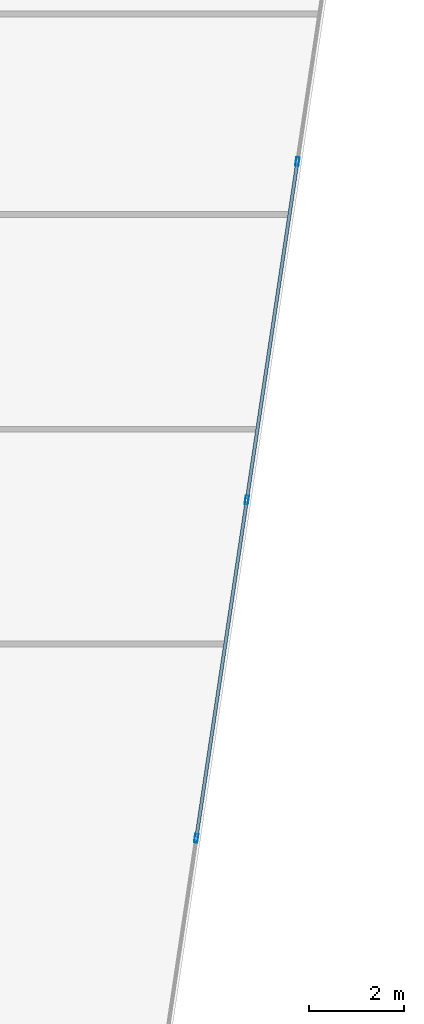
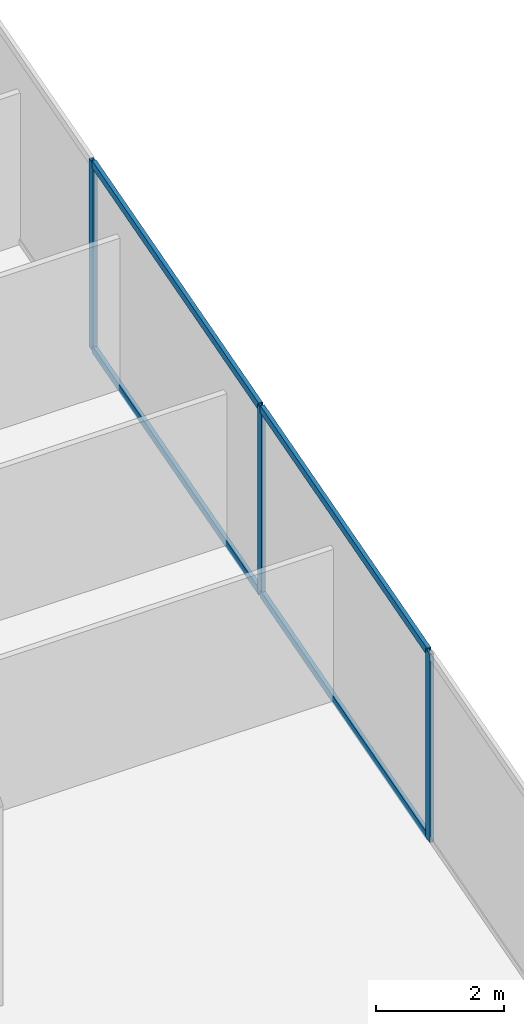
# One storey, part 14 of 29: 7 members, 1 element without a shape of its own.
"""IFC4 building model written with IfcOpenShell, lengths in metres."""

from ifc_helpers import new_model, si_unit, direction, frame, origin, origin_2d, place, context, subcontext, project, spatial, hollow_rectangle, extrude, source, transform, mapped, material, material_profile, profile_set, type_object, type_shapes, element, aggregate, save


model = new_model("IFC4")

# Units and contexts
model_context = context("Model", 3, precision=1e-05, world=origin(), true_north=direction((0.0, 1.0)))
body_context = subcontext(model_context, "Body", "Model", "MODEL_VIEW")
ifc_project = project(units=[si_unit("LENGTHUNIT", "METRE"), si_unit("AREAUNIT", "SQUARE_METRE"), si_unit("VOLUMEUNIT", "CUBIC_METRE"), si_unit("PLANEANGLEUNIT", "RADIAN"), si_unit("MASSUNIT", "GRAM", prefix="KILO")], contexts=[model_context])

# Site, building, storey
site_placement = place(None, origin())
site = spatial("IfcSite", under=ifc_project, at=site_placement, CompositionType="ELEMENT")
building_placement = place(site_placement, origin())
building = spatial("IfcBuilding", under=site, at=building_placement, Name="Krantzveldt Concourse Tower", CompositionType="ELEMENT")
storey_placement = place(building_placement, frame((0.0, 0.0, 76.35009765625)))
storey = spatial("IfcBuildingStorey", under=building, at=storey_placement, Name="L18", CompositionType="ELEMENT", Elevation=76.35009765625)

# Curtain wall, members
ifc_material = material(Name="Anodised aluminium 6063-T6", Category="aluminium")
curtain_wall_type = type_object("IfcCurtainWallType", Name="CW2", PredefinedType="USERDEFINED", material=ifc_material)
curtain_wall_placement = place(storey_placement, origin())
curtain_wall = element("IfcCurtainWall", 1, at=curtain_wall_placement, inside=storey, type_object=curtain_wall_type, Name="CW-L18-F07", ObjectType="UNITISED CURTAIN WALL", PredefinedType="USERDEFINED")
ifc_material_profile_1 = material_profile(ifc_material, hollow_rectangle(XDim=0.070068359375, YDim=0.139892578125, WallThickness=0.0048828125, at=origin_2d()), Name="Anodised aluminium 6063-T6", Category="aluminium")
ifc_profile_set_1 = profile_set([ifc_material_profile_1], Name="Anodised aluminium 6063-T6 - ALU-TRAN 140x70x5")
member_type_1 = type_object("IfcMemberType", Name="CW-TRN-150", PredefinedType="USERDEFINED", material=ifc_profile_set_1)
shared_shape_1 = source(origin(), body_context, "Body", "SweptSolid", [
    extrude(hollow_rectangle(XDim=0.070068359375, YDim=0.139892578125, WallThickness=0.0048828125, at=origin_2d()), origin(), (0.0, 0.0, 1.0), 7.096435546875),
])
type_shapes(member_type_1, [shared_shape_1])
member_1_placement = place(storey_placement, frame((59.582275390625, 15.96484375, 0.034912109375), z_axis=(0.147795365468, 0.989017962398, 0.0), x_axis=(-0.989017962398, 0.147795365468, 0.0)))
member_1 = element("IfcMember", 2, at=member_1_placement, type_object=member_type_1, Name="CW-Z12 transom 3.1", ObjectType="TRANSOM", PredefinedType="USERDEFINED", context=body_context, shape_type="MappedRepresentation", body=[
    mapped(shared_shape_1, transform((0.0, 0.0, 0.0), x_axis=(1.0, 0.0, 0.0), y_axis=(0.0, 1.0, 0.0), z_axis=(0.0, 0.0, 1.0), scale=1.0)),
])
member_2_placement = place(storey_placement, frame((59.582275390625, 15.96484375, 3.554931640625), z_axis=(0.147795365468, 0.989017962398, 0.0), x_axis=(-0.989017962398, 0.147795365468, 0.0)))
member_2 = element("IfcMember", 3, at=member_2_placement, type_object=member_type_1, Name="CW-Z12 transom 3.2", ObjectType="TRANSOM", PredefinedType="USERDEFINED", context=body_context, shape_type="MappedRepresentation", body=[
    mapped(shared_shape_1, transform((0.0, 0.0, 0.0), x_axis=(1.0, 0.0, 0.0), y_axis=(0.0, 1.0, 0.0), z_axis=(0.0, 0.0, 1.0), scale=1.0)),
])
member_3_placement = place(storey_placement, frame((60.6416015625, 23.052734375, 0.034912109375), z_axis=(0.147795365468, 0.989017962398, 0.0), x_axis=(-0.989017962398, 0.147795365468, 0.0)))
member_3 = element("IfcMember", 4, at=member_3_placement, type_object=member_type_1, Name="CW-Z12 transom 4.1", ObjectType="TRANSOM", PredefinedType="USERDEFINED", context=body_context, shape_type="MappedRepresentation", body=[
    mapped(shared_shape_1, transform((0.0, 0.0, 0.0), x_axis=(1.0, 0.0, 0.0), y_axis=(0.0, 1.0, 0.0), z_axis=(0.0, 0.0, 1.0), scale=1.0)),
])
member_4_placement = place(storey_placement, frame((60.6416015625, 23.052734375, 3.554931640625), z_axis=(0.147795365468, 0.989017962398, 0.0), x_axis=(-0.989017962398, 0.147795365468, 0.0)))
member_4 = element("IfcMember", 5, at=member_4_placement, type_object=member_type_1, Name="CW-Z12 transom 4.2", ObjectType="TRANSOM", PredefinedType="USERDEFINED", context=body_context, shape_type="MappedRepresentation", body=[
    mapped(shared_shape_1, transform((0.0, 0.0, 0.0), x_axis=(1.0, 0.0, 0.0), y_axis=(0.0, 1.0, 0.0), z_axis=(0.0, 0.0, 1.0), scale=1.0)),
])
ifc_material_profile_2 = material_profile(ifc_material, hollow_rectangle(XDim=0.070068359375, YDim=0.179931640625, WallThickness=0.0048828125, at=origin_2d()), Name="Anodised aluminium 6063-T6", Category="aluminium")
ifc_profile_set_2 = profile_set([ifc_material_profile_2], Name="Anodised aluminium 6063-T6 - ALU-MULL 180x70x5")
member_type_2 = type_object("IfcMemberType", Name="CW-MUL-180", PredefinedType="MULLION", material=ifc_profile_set_2)
shared_shape_2 = source(origin(), body_context, "Body", "SweptSolid", [
    extrude(hollow_rectangle(XDim=0.070068359375, YDim=0.179931640625, WallThickness=0.0048828125, at=origin_2d()), origin(), (0.0, 0.0, 1.0), 3.58984375),
])
type_shapes(member_type_2, [shared_shape_2])
member_5_placement = place(storey_placement, frame((59.5771484375, 15.93017578125, 0.0), z_axis=(0.0, 0.0, 1.0), x_axis=(-0.989015849271, 0.147809505412, 0.0)))
member_5 = element("IfcMember", 6, at=member_5_placement, type_object=member_type_2, Name="CW-Z12 mullion 3", PredefinedType="MULLION", context=body_context, shape_type="MappedRepresentation", body=[
    mapped(shared_shape_2, transform((0.0, 0.0, 0.0), x_axis=(1.0, 0.0, 0.0), y_axis=(0.0, 1.0, 0.0), z_axis=(0.0, 0.0, 1.0), scale=1.0)),
])
member_6_placement = place(storey_placement, frame((60.636474609375, 23.01806640625, 0.0), z_axis=(0.0, 0.0, 1.0), x_axis=(-0.989015849271, 0.147809505412, 0.0)))
member_6 = element("IfcMember", 7, at=member_6_placement, type_object=member_type_2, Name="CW-Z12 mullion 4", PredefinedType="MULLION", context=body_context, shape_type="MappedRepresentation", body=[
    mapped(shared_shape_2, transform((0.0, 0.0, 0.0), x_axis=(1.0, 0.0, 0.0), y_axis=(0.0, 1.0, 0.0), z_axis=(0.0, 0.0, 1.0), scale=1.0)),
])
member_7_placement = place(storey_placement, frame((61.69580078125, 30.10595703125, 0.0), z_axis=(0.0, 0.0, 1.0), x_axis=(-0.989015849271, 0.147809505412, 0.0)))
member_7 = element("IfcMember", 8, at=member_7_placement, type_object=member_type_2, Name="CW-Z12 mullion 5", PredefinedType="MULLION", context=body_context, shape_type="MappedRepresentation", body=[
    mapped(shared_shape_2, transform((0.0, 0.0, 0.0), x_axis=(1.0, 0.0, 0.0), y_axis=(0.0, 1.0, 0.0), z_axis=(0.0, 0.0, 1.0), scale=1.0)),
])
aggregate(curtain_wall, [member_5, member_6, member_7, member_1, member_2, member_3, member_4])

save(model, "model.ifc")
